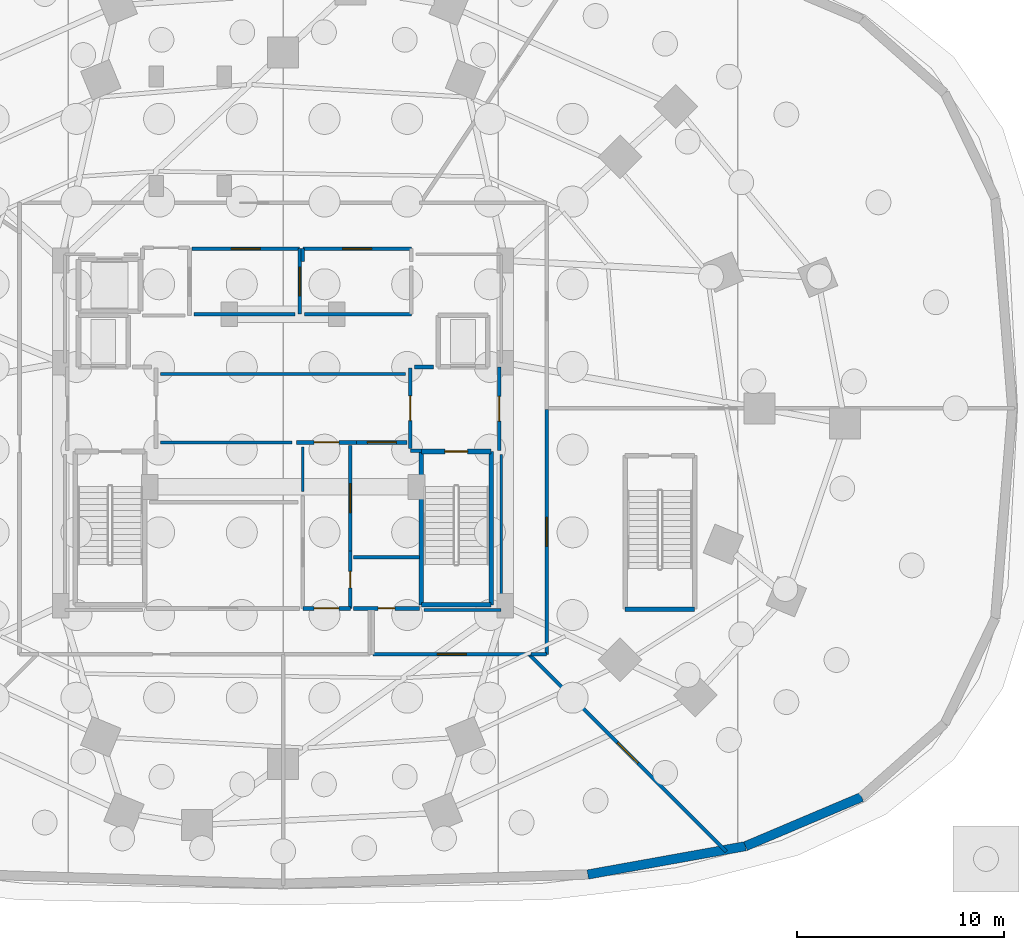
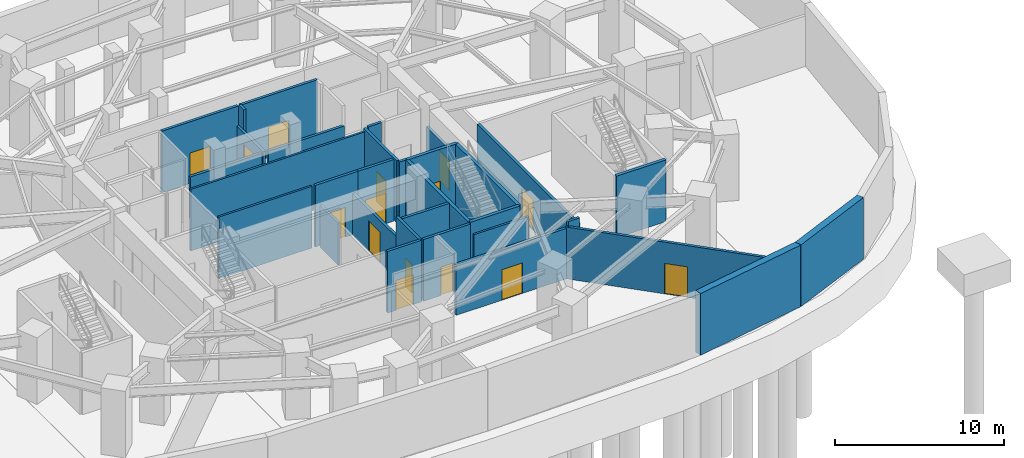
# One storey, part 5 of 9: 33 walls, 15 doors, 15 openings.
"""IFC4 building model written with IfcOpenShell, lengths in metres."""

from ifc_helpers import new_model, si_unit, direction, frame, frame_2d, origin, place, context, subcontext, project, spatial, rectangle, extrude, material, layer, layer_set, type_object, element, fill, save


model = new_model("IFC4")

# Units and contexts
model_context = context("Model", 3, precision=1e-05, world=origin(), true_north=direction((0.0, 1.0)))
body_context = subcontext(model_context, "Body", "Model", "MODEL_VIEW")
ifc_project = project(units=[si_unit("LENGTHUNIT", "METRE"), si_unit("AREAUNIT", "SQUARE_METRE"), si_unit("VOLUMEUNIT", "CUBIC_METRE"), si_unit("PLANEANGLEUNIT", "RADIAN"), si_unit("MASSUNIT", "GRAM", prefix="KILO")], contexts=[model_context])

# Site, building, storey
site_placement = place(None, origin())
site = spatial("IfcSite", under=ifc_project, at=site_placement, CompositionType="ELEMENT")
building_placement = place(site_placement, origin())
building = spatial("IfcBuilding", under=site, at=building_placement, Name="Vorneva Point Tower", CompositionType="ELEMENT")
storey_placement = place(building_placement, frame((0.0, 0.0, -9.60009765625)))
storey = spatial("IfcBuildingStorey", under=building, at=storey_placement, Name="B02", CompositionType="ELEMENT", Elevation=-9.60009765625)

# Walls
ifc_material_1 = material(Name="Fire-rated acoustic gypsum stud partition", Category="gypsum")
ifc_layer_1 = layer(ifc_material_1, 0.139892578125)
ifc_layer_set_1 = layer_set([ifc_layer_1], Name="Fire-rated acoustic gypsum stud partition")
wall_type_1 = type_object("IfcWallType", Name="WL-PART-140", PredefinedType="PARTITIONING", material=ifc_layer_set_1)
wall_1_placement = place(storey_placement, frame((43.929931640625, 27.64990234375, 0.0), z_axis=(0.0, 0.0, 1.0), x_axis=(-1.0, 0.0, 0.0)))
element("IfcWall", 1, at=wall_1_placement, inside=storey, type_object=wall_type_1, Name="B02 Interior Closure Partition 045", PredefinedType="PARTITIONING", context=body_context, shape_type="SweptSolid", body=[
    extrude(rectangle(XDim=11.85986328125, YDim=0.139892578125, at=frame_2d((5.929931640625, 0.0))), origin(), (0.0, 0.0, 1.0), 4.4501953125),
])
wall_2_placement = place(storey_placement, frame((32.070068359375, 24.35009765625, 0.0), z_axis=(0.0, 0.0, 1.0), x_axis=(1.0, 0.0, 0.0)))
element("IfcWall", 2, at=wall_2_placement, inside=storey, type_object=wall_type_1, Name="B02 Interior Closure Partition 046", PredefinedType="PARTITIONING", context=body_context, shape_type="SweptSolid", body=[
    extrude(rectangle(XDim=6.35498046875, YDim=0.139892578125, at=frame_2d((3.177490234375, 0.0))), origin(), (0.0, 0.0, 1.0), 4.4501953125),
])
wall_3_placement = place(storey_placement, frame((38.949951171875, 24.1298828125, 0.0), z_axis=(0.0, 0.0, 1.0), x_axis=(0.0, -1.0, 0.0)))
element("IfcWall", 3, at=wall_3_placement, inside=storey, type_object=wall_type_1, Name="B02 Interior Closure Partition 047", PredefinedType="PARTITIONING", context=body_context, shape_type="SweptSolid", body=[
    extrude(rectangle(XDim=2.15478515625, YDim=0.139892578125, at=frame_2d((1.077392578125, 0.0))), origin(), (0.0, 0.0, 1.0), 3.030029296875),
])
wall_4_placement = place(storey_placement, frame((48.550048828125, 23.75390625, 0.0), z_axis=(0.0, 0.0, 1.0), x_axis=(0.0, -1.0, 0.0)))
element("IfcWall", 4, at=wall_4_placement, inside=storey, type_object=wall_type_1, Name="B02 Interior Closure Partition 054", PredefinedType="PARTITIONING", context=body_context, shape_type="SweptSolid", body=[
    extrude(rectangle(XDim=7.513916015625, YDim=0.139892578125, at=frame_2d((3.7568359375, 0.0))), origin(), (0.0, 0.0, 1.0), 3.030029296875),
])
wall_5_placement = place(storey_placement, frame((48.550048828125, 16.239990234375, 0.0), z_axis=(0.0, 0.0, 1.0), x_axis=(-1.0, 0.0, 0.0)))
element("IfcWall", 5, at=wall_5_placement, inside=storey, type_object=wall_type_1, Name="B02 Interior Closure Partition 055", PredefinedType="PARTITIONING", context=body_context, shape_type="SweptSolid", body=[
    extrude(rectangle(XDim=3.7451171875, YDim=0.139892578125, at=frame_2d((1.87255859375, 0.0))), origin(), (0.0, 0.0, 1.0), 3.64208984375),
])

# Wall, opening, door
ifc_material_2 = material(Name="Autoclaved aerated concrete blockwork", Category="masonry")
ifc_layer_2 = layer(ifc_material_2, 0.179931640625)
ifc_layer_set_2 = layer_set([ifc_layer_2], Name="Autoclaved aerated concrete blockwork")
wall_type_2 = type_object("IfcWallType", Name="WL-PART-180", PredefinedType="PARTITIONING", material=ifc_layer_set_2)
wall_6_placement = place(storey_placement, frame((44.14990234375, 27.955078125, 0.0), z_axis=(0.0, 0.0, 1.0), x_axis=(0.0, -1.0, 0.0)))
wall_6 = element("IfcWall", 6, at=wall_6_placement, inside=storey, type_object=wall_type_2, Name="B02 Interior Partition 003", PredefinedType="PARTITIONING", context=body_context, shape_type="SweptSolid", body=[
    extrude(rectangle(XDim=3.91015625, YDim=0.179931640625, at=frame_2d((1.955078125, 0.0))), origin(), (0.0, 0.0, 1.0), 4.4501953125),
])
opening_1_placement = place(wall_6_placement, frame((1.35498046875, 0.0, 0.0)))
opening_1 = element("IfcOpeningElement", 7, at=opening_1_placement, cuts=wall_6, Name="Opening FD-02", PredefinedType="OPENING", context=body_context, shape_type="SweptSolid", body=[
    extrude(rectangle(XDim=1.199951171875, YDim=2.14990234375, at=frame_2d((0.60009765625, 1.074951171875))), frame((0.0, 0.10498046875, 0.0), z_axis=(0.0, -1.0, 0.0), x_axis=(1.0, 0.0, 0.0)), (0.0, 0.0, 1.0), 0.209716796875),
])
ifc_material_3 = material(Name="Fire-rated powder-coated steel", Category="steel")
door_type_1 = type_object("IfcDoorType", Name="DR-FFL-1200", OperationType="NOTDEFINED", PredefinedType="DOOR", material=ifc_material_3)
door_1_placement = place(opening_1_placement, origin())
door_1 = element("IfcDoor", 8, at=door_1_placement, inside=storey, type_object=door_type_1, Name="B02 Door East Firefighting Lobby / Central Lift Lobby", OperationType="SINGLE_SWING_RIGHT", OverallHeight=2.14990234375, OverallWidth=1.199951171875, PredefinedType="DOOR", context=body_context, shape_type="SweptSolid", body=[
    extrude(rectangle(XDim=1.199951171875, YDim=2.14990234375, at=frame_2d((0.60009765625, 1.074951171875))), frame((0.0, 0.02490234375, 0.0), z_axis=(0.0, -1.0, 0.0), x_axis=(1.0, 0.0, 0.0)), (0.0, 0.0, 1.0), 0.050048828125),
])
fill(opening_1, door_1)

# Wall
wall_7_placement = place(storey_placement, frame((44.14990234375, 23.949951171875, 0.0), z_axis=(0.0, 0.0, 1.0), x_axis=(1.0, 0.0, 0.0)))
element("IfcWall", 9, at=wall_7_placement, inside=storey, type_object=wall_type_2, Name="B02 Interior Partition 004", PredefinedType="PARTITIONING", context=body_context, shape_type="SweptSolid", body=[
    extrude(rectangle(XDim=0.5400390625, YDim=0.179931640625, at=frame_2d((0.27001953125, 0.0))), origin(), (0.0, 0.0, 1.0), 4.4501953125),
])

# Wall, opening, door
wall_8_placement = place(storey_placement, frame((48.449951171875, 23.949951171875, 0.0), z_axis=(0.0, 0.0, 1.0), x_axis=(0.0, 1.0, 0.0)))
wall_8 = element("IfcWall", 10, at=wall_8_placement, inside=storey, type_object=wall_type_2, Name="B02 Interior Partition 005", PredefinedType="PARTITIONING", context=body_context, shape_type="SweptSolid", body=[
    extrude(rectangle(XDim=4.050048828125, YDim=0.179931640625, at=frame_2d((2.02490234375, 0.0))), origin(), (0.0, 0.0, 1.0), 3.030029296875),
])
opening_2_placement = place(wall_8_placement, frame((1.425048828125, 0.0, 0.0)))
opening_2 = element("IfcOpeningElement", 11, at=opening_2_placement, cuts=wall_8, Name="Opening FD-02", PredefinedType="OPENING", context=body_context, shape_type="SweptSolid", body=[
    extrude(rectangle(XDim=1.199951171875, YDim=2.14990234375, at=frame_2d((0.60009765625, 1.074951171875))), frame((0.0, 0.10498046875, 0.0), z_axis=(0.0, -1.0, 0.0), x_axis=(1.0, 0.0, 0.0)), (0.0, 0.0, 1.0), 0.209716796875),
])
door_2_placement = place(opening_2_placement, origin())
door_2 = element("IfcDoor", 12, at=door_2_placement, inside=storey, type_object=door_type_1, Name="B02 Door East Firefighting Lobby / B02 Circulation Corridor", OperationType="SINGLE_SWING_LEFT", OverallHeight=2.14990234375, OverallWidth=1.199951171875, PredefinedType="DOOR", context=body_context, shape_type="SweptSolid", body=[
    extrude(rectangle(XDim=1.199951171875, YDim=2.14990234375, at=frame_2d((0.60009765625, 1.074951171875))), frame((0.0, 0.02490234375, 0.0), z_axis=(0.0, -1.0, 0.0), x_axis=(1.0, 0.0, 0.0)), (0.0, 0.0, 1.0), 0.050048828125),
])
fill(opening_2, door_2)

wall_9_placement = place(storey_placement, frame((38.64501953125, 24.35009765625, 0.0), z_axis=(0.0, 0.0, 1.0), x_axis=(1.0, 0.0, 0.0)))
wall_9 = element("IfcWall", 13, at=wall_9_placement, inside=storey, type_object=wall_type_2, Name="B02 Interior Partition 009", PredefinedType="PARTITIONING", context=body_context, shape_type="SweptSolid", body=[
    extrude(rectangle(XDim=2.909912109375, YDim=0.179931640625, at=frame_2d((1.455078125, 0.0))), origin(), (0.0, 0.0, 1.0), 4.4501953125),
])
opening_3_placement = place(wall_9_placement, frame((0.85498046875, 0.0, 0.0)))
opening_3 = element("IfcOpeningElement", 14, at=opening_3_placement, cuts=wall_9, Name="Opening FD-02", PredefinedType="OPENING", context=body_context, shape_type="SweptSolid", body=[
    extrude(rectangle(XDim=1.199951171875, YDim=2.14990234375, at=frame_2d((0.60009765625, 1.074951171875))), frame((0.0, 0.10498046875, 0.0), z_axis=(0.0, -1.0, 0.0), x_axis=(1.0, 0.0, 0.0)), (0.0, 0.0, 1.0), 0.209716796875),
])
door_3_placement = place(opening_3_placement, origin())
door_3 = element("IfcDoor", 15, at=door_3_placement, inside=storey, type_object=door_type_1, Name="B02 Door Central Lift Lobby / Core Service Lobby", OperationType="SINGLE_SWING_LEFT", OverallHeight=2.14990234375, OverallWidth=1.199951171875, PredefinedType="DOOR", context=body_context, shape_type="SweptSolid", body=[
    extrude(rectangle(XDim=1.199951171875, YDim=2.14990234375, at=frame_2d((0.60009765625, 1.074951171875))), frame((0.0, 0.02490234375, 0.0), z_axis=(0.0, -1.0, 0.0), x_axis=(1.0, 0.0, 0.0)), (0.0, 0.0, 1.0), 0.050048828125),
])
fill(opening_3, door_3)

wall_10_placement = place(storey_placement, frame((41.554931640625, 24.35009765625, 0.0), z_axis=(0.0, 0.0, 1.0), x_axis=(1.0, 0.0, 0.0)))
wall_10 = element("IfcWall", 16, at=wall_10_placement, inside=storey, type_object=wall_type_2, Name="B02 Interior Partition 010", PredefinedType="PARTITIONING", context=body_context, shape_type="SweptSolid", body=[
    extrude(rectangle(XDim=2.445068359375, YDim=0.179931640625, at=frame_2d((1.22265625, 0.0))), origin(), (0.0, 0.0, 1.0), 4.4501953125),
])
opening_4_placement = place(wall_10_placement, frame((0.5224609375, 0.0, 0.0)))
opening_4 = element("IfcOpeningElement", 17, at=opening_4_placement, cuts=wall_10, Name="Opening FD-03", PredefinedType="OPENING", context=body_context, shape_type="SweptSolid", body=[
    extrude(rectangle(XDim=1.39990234375, YDim=2.199951171875, at=frame_2d((0.699951171875, 1.10009765625))), frame((0.0, 0.10498046875, 0.0), z_axis=(0.0, -1.0, 0.0), x_axis=(1.0, 0.0, 0.0)), (0.0, 0.0, 1.0), 0.209716796875),
])
door_type_2 = type_object("IfcDoorType", Name="DR-PLT-1400", OperationType="DOUBLE_SWING_LEFT", PredefinedType="DOOR", material=ifc_material_3)
door_4_placement = place(opening_4_placement, origin())
door_4 = element("IfcDoor", 18, at=door_4_placement, inside=storey, type_object=door_type_2, Name="B02 Door Central Lift Lobby / Core BMS Control Plant B02", OperationType="DOUBLE_SWING_LEFT", OverallHeight=2.199951171875, OverallWidth=1.39990234375, PredefinedType="DOOR", context=body_context, shape_type="SweptSolid", body=[
    extrude(rectangle(XDim=1.39990234375, YDim=2.199951171875, at=frame_2d((0.699951171875, 1.10009765625))), frame((0.0, 0.02490234375, 0.0), z_axis=(0.0, -1.0, 0.0), x_axis=(1.0, 0.0, 0.0)), (0.0, 0.0, 1.0), 0.050048828125),
])
fill(opening_4, door_4)

wall_11_placement = place(storey_placement, frame((41.25, 16.320068359375, 0.0), z_axis=(0.0, 0.0, 1.0), x_axis=(0.0, 1.0, 0.0)))
wall_11 = element("IfcWall", 19, at=wall_11_placement, inside=storey, type_object=wall_type_2, Name="B02 Interior Partition 012", PredefinedType="PARTITIONING", context=body_context, shape_type="SweptSolid", body=[
    extrude(rectangle(XDim=2.784912109375, YDim=0.179931640625, at=frame_2d((1.392578125, 0.0))), origin(), (0.0, 0.0, 1.0), 4.4501953125),
])
opening_5_placement = place(wall_11_placement, frame((0.992431640625, 0.0, 0.0)))
opening_5 = element("IfcOpeningElement", 20, at=opening_5_placement, cuts=wall_11, Name="Opening RD-01", PredefinedType="OPENING", context=body_context, shape_type="SweptSolid", body=[
    extrude(rectangle(XDim=0.800048828125, YDim=2.050048828125, at=frame_2d((0.39990234375, 1.02490234375))), frame((0.0, 0.10498046875, 0.0), z_axis=(0.0, -1.0, 0.0), x_axis=(1.0, 0.0, 0.0)), (0.0, 0.0, 1.0), 0.209716796875),
])
door_type_3 = type_object("IfcDoorType", Name="DR-RSR-800", OperationType="SINGLE_SWING_LEFT", PredefinedType="DOOR", material=ifc_material_3)
door_5_placement = place(opening_5_placement, origin())
door_5 = element("IfcDoor", 21, at=door_5_placement, inside=storey, type_object=door_type_3, Name="B02 Door Core Service Lobby / Electrical Riser", OperationType="SINGLE_SWING_RIGHT", OverallHeight=2.050048828125, OverallWidth=0.800048828125, PredefinedType="DOOR", context=body_context, shape_type="SweptSolid", body=[
    extrude(rectangle(XDim=0.800048828125, YDim=2.050048828125, at=frame_2d((0.39990234375, 1.02490234375))), frame((0.0, 0.02490234375, 0.0), z_axis=(0.0, -1.0, 0.0), x_axis=(1.0, 0.0, 0.0)), (0.0, 0.0, 1.0), 0.050048828125),
])
fill(opening_5, door_5)

wall_12_placement = place(storey_placement, frame((41.25, 19.10498046875, 0.0), z_axis=(0.0, 0.0, 1.0), x_axis=(0.0, 1.0, 0.0)))
wall_12 = element("IfcWall", 22, at=wall_12_placement, inside=storey, type_object=wall_type_2, Name="B02 Interior Partition 013", PredefinedType="PARTITIONING", context=body_context, shape_type="SweptSolid", body=[
    extrude(rectangle(XDim=5.094970703125, YDim=0.179931640625, at=frame_2d((2.54736328125, 0.0))), origin(), (0.0, 0.0, 1.0), 3.030029296875),
])
opening_6_placement = place(wall_12_placement, frame((1.847412109375, 0.0, 0.0)))
opening_6 = element("IfcOpeningElement", 23, at=opening_6_placement, cuts=wall_12, Name="Opening FD-03", PredefinedType="OPENING", context=body_context, shape_type="SweptSolid", body=[
    extrude(rectangle(XDim=1.39990234375, YDim=2.199951171875, at=frame_2d((0.699951171875, 1.10009765625))), frame((0.0, 0.10498046875, 0.0), z_axis=(0.0, -1.0, 0.0), x_axis=(1.0, 0.0, 0.0)), (0.0, 0.0, 1.0), 0.209716796875),
])
door_6_placement = place(opening_6_placement, origin())
door_6 = element("IfcDoor", 24, at=door_6_placement, inside=storey, type_object=door_type_2, Name="B02 Door Core Service Lobby / Core BMS Control Plant B02", OperationType="DOUBLE_SWING_LEFT", OverallHeight=2.199951171875, OverallWidth=1.39990234375, PredefinedType="DOOR", context=body_context, shape_type="SweptSolid", body=[
    extrude(rectangle(XDim=1.39990234375, YDim=2.199951171875, at=frame_2d((0.699951171875, 1.10009765625))), frame((0.0, 0.02490234375, 0.0), z_axis=(0.0, -1.0, 0.0), x_axis=(1.0, 0.0, 0.0)), (0.0, 0.0, 1.0), 0.050048828125),
])
fill(opening_6, door_6)

wall_13_placement = place(storey_placement, frame((38.949951171875, 16.320068359375, 0.0), z_axis=(0.0, 0.0, 1.0), x_axis=(1.0, 0.0, 0.0)))
wall_13 = element("IfcWall", 25, at=wall_13_placement, inside=storey, type_object=wall_type_2, Name="B02 Interior Partition 014", PredefinedType="PARTITIONING", context=body_context, shape_type="SweptSolid", body=[
    extrude(rectangle(XDim=2.300048828125, YDim=0.179931640625, at=frame_2d((1.14990234375, 0.0))), origin(), (0.0, 0.0, 1.0), 4.4501953125),
])
opening_7_placement = place(wall_13_placement, frame((0.550048828125, 0.0, 0.0)))
opening_7 = element("IfcOpeningElement", 26, at=opening_7_placement, cuts=wall_13, Name="Opening FD-02", PredefinedType="OPENING", context=body_context, shape_type="SweptSolid", body=[
    extrude(rectangle(XDim=1.199951171875, YDim=2.14990234375, at=frame_2d((0.60009765625, 1.074951171875))), frame((0.0, 0.10498046875, 0.0), z_axis=(0.0, -1.0, 0.0), x_axis=(1.0, 0.0, 0.0)), (0.0, 0.0, 1.0), 0.209716796875),
])
door_7_placement = place(opening_7_placement, origin())
door_7 = element("IfcDoor", 27, at=door_7_placement, inside=storey, type_object=door_type_1, Name="B02 Door Core Service Lobby / B02 Circulation Corridor", OperationType="SINGLE_SWING_RIGHT", OverallHeight=2.14990234375, OverallWidth=1.199951171875, PredefinedType="DOOR", context=body_context, shape_type="SweptSolid", body=[
    extrude(rectangle(XDim=1.199951171875, YDim=2.14990234375, at=frame_2d((0.60009765625, 1.074951171875))), frame((0.0, 0.02490234375, 0.0), z_axis=(0.0, -1.0, 0.0), x_axis=(1.0, 0.0, 0.0)), (0.0, 0.0, 1.0), 0.050048828125),
])
fill(opening_7, door_7)

wall_14_placement = place(storey_placement, frame((38.800048828125, 30.550048828125, 0.0), z_axis=(0.0, 0.0, 1.0), x_axis=(0.0, 1.0, 0.0)))
wall_14 = element("IfcWall", 28, at=wall_14_placement, inside=storey, type_object=wall_type_2, Name="B02 Interior Partition 015", PredefinedType="PARTITIONING", context=body_context, shape_type="SweptSolid", body=[
    extrude(rectangle(XDim=3.169921875, YDim=0.179931640625, at=frame_2d((1.5849609375, 0.0))), origin(), (0.0, 0.0, 1.0), 3.030029296875),
])
opening_8_placement = place(wall_14_placement, frame((0.885009765625, 0.0, 0.0)))
opening_8 = element("IfcOpeningElement", 29, at=opening_8_placement, cuts=wall_14, Name="Opening FD-03", PredefinedType="OPENING", context=body_context, shape_type="SweptSolid", body=[
    extrude(rectangle(XDim=1.39990234375, YDim=2.199951171875, at=frame_2d((0.699951171875, 1.10009765625))), frame((0.0, 0.10498046875, 0.0), z_axis=(0.0, -1.0, 0.0), x_axis=(1.0, 0.0, 0.0)), (0.0, 0.0, 1.0), 0.209716796875),
])
door_8_placement = place(opening_8_placement, origin())
door_8 = element("IfcDoor", 30, at=door_8_placement, inside=storey, type_object=door_type_2, Name="B02 Door Core Smoke Extract Plant B02 / Core Electrical Switchgear Room B02", OperationType="DOUBLE_SWING_LEFT", OverallHeight=2.199951171875, OverallWidth=1.39990234375, PredefinedType="DOOR", context=body_context, shape_type="SweptSolid", body=[
    extrude(rectangle(XDim=1.39990234375, YDim=2.199951171875, at=frame_2d((0.699951171875, 1.10009765625))), frame((0.0, 0.02490234375, 0.0), z_axis=(0.0, -1.0, 0.0), x_axis=(1.0, 0.0, 0.0)), (0.0, 0.0, 1.0), 0.050048828125),
])
fill(opening_8, door_8)

wall_15_placement = place(storey_placement, frame((38.800048828125, 33.719970703125, 0.0), z_axis=(0.0, 0.0, 1.0), x_axis=(-1.0, 0.0, 0.0)))
wall_15 = element("IfcWall", 31, at=wall_15_placement, inside=storey, type_object=wall_type_2, Name="B02 Interior Partition 016", PredefinedType="PARTITIONING", context=body_context, shape_type="SweptSolid", body=[
    extrude(rectangle(XDim=5.199951171875, YDim=0.179931640625, at=frame_2d((2.60009765625, 0.0))), origin(), (0.0, 0.0, 1.0), 4.4501953125),
])
opening_9_placement = place(wall_15_placement, frame((1.89990234375, 0.0, 0.0)))
opening_9 = element("IfcOpeningElement", 32, at=opening_9_placement, cuts=wall_15, Name="Opening FD-03", PredefinedType="OPENING", context=body_context, shape_type="SweptSolid", body=[
    extrude(rectangle(XDim=1.39990234375, YDim=2.199951171875, at=frame_2d((0.699951171875, 1.10009765625))), frame((0.0, 0.10498046875, 0.0), z_axis=(0.0, -1.0, 0.0), x_axis=(1.0, 0.0, 0.0)), (0.0, 0.0, 1.0), 0.209716796875),
])
door_9_placement = place(opening_9_placement, origin())
door_9 = element("IfcDoor", 33, at=door_9_placement, inside=storey, type_object=door_type_2, Name="B02 Door Core Smoke Extract Plant B02 / B02 Circulation Corridor", OperationType="DOUBLE_SWING_LEFT", OverallHeight=2.199951171875, OverallWidth=1.39990234375, PredefinedType="DOOR", context=body_context, shape_type="SweptSolid", body=[
    extrude(rectangle(XDim=1.39990234375, YDim=2.199951171875, at=frame_2d((0.699951171875, 1.10009765625))), frame((0.0, 0.02490234375, 0.0), z_axis=(0.0, -1.0, 0.0), x_axis=(1.0, 0.0, 0.0)), (0.0, 0.0, 1.0), 0.050048828125),
])
fill(opening_9, door_9)

wall_16_placement = place(storey_placement, frame((44.199951171875, 33.719970703125, 0.0), z_axis=(0.0, 0.0, 1.0), x_axis=(-1.0, 0.0, 0.0)))
wall_16 = element("IfcWall", 34, at=wall_16_placement, inside=storey, type_object=wall_type_2, Name="B02 Interior Partition 017", PredefinedType="PARTITIONING", context=body_context, shape_type="SweptSolid", body=[
    extrude(rectangle(XDim=5.25, YDim=0.179931640625, at=frame_2d((2.625, 0.0))), origin(), (0.0, 0.0, 1.0), 4.4501953125),
])
opening_10_placement = place(wall_16_placement, frame((1.925048828125, 0.0, 0.0)))
opening_10 = element("IfcOpeningElement", 35, at=opening_10_placement, cuts=wall_16, Name="Opening FD-03", PredefinedType="OPENING", context=body_context, shape_type="SweptSolid", body=[
    extrude(rectangle(XDim=1.39990234375, YDim=2.199951171875, at=frame_2d((0.699951171875, 1.10009765625))), frame((0.0, 0.10498046875, 0.0), z_axis=(0.0, -1.0, 0.0), x_axis=(1.0, 0.0, 0.0)), (0.0, 0.0, 1.0), 0.209716796875),
])
door_10_placement = place(opening_10_placement, origin())
door_10 = element("IfcDoor", 36, at=door_10_placement, inside=storey, type_object=door_type_2, Name="B02 Door Core Electrical Switchgear Room B02 / B02 Circulation Corridor", OperationType="DOUBLE_SWING_LEFT", OverallHeight=2.199951171875, OverallWidth=1.39990234375, PredefinedType="DOOR", context=body_context, shape_type="SweptSolid", body=[
    extrude(rectangle(XDim=1.39990234375, YDim=2.199951171875, at=frame_2d((0.699951171875, 1.10009765625))), frame((0.0, 0.02490234375, 0.0), z_axis=(0.0, -1.0, 0.0), x_axis=(1.0, 0.0, 0.0)), (0.0, 0.0, 1.0), 0.050048828125),
])
fill(opening_10, door_10)

# Walls
wall_17_placement = place(storey_placement, frame((38.949951171875, 33.719970703125, 0.0), z_axis=(0.0, 0.0, 1.0), x_axis=(0.0, -1.0, 0.0)))
element("IfcWall", 37, at=wall_17_placement, inside=storey, type_object=wall_type_2, Name="B02 Interior Partition 018", PredefinedType="PARTITIONING", context=body_context, shape_type="SweptSolid", body=[
    extrude(rectangle(XDim=0.60986328125, YDim=0.179931640625, at=frame_2d((0.304931640625, 0.0))), origin(), (0.0, 0.0, 1.0), 4.4501953125),
])
wall_18_placement = place(storey_placement, frame((44.60009765625, 18.800048828125, 0.0), z_axis=(0.0, 0.0, 1.0), x_axis=(-1.0, 0.0, 0.0)))
element("IfcWall", 38, at=wall_18_placement, inside=storey, type_object=wall_type_2, Name="B02 Interior Partition 021", PredefinedType="PARTITIONING", context=body_context, shape_type="SweptSolid", body=[
    extrude(rectangle(XDim=3.2001953125, YDim=0.179931640625, at=frame_2d((1.60009765625, 0.0))), origin(), (0.0, 0.0, 1.0), 4.4501953125),
])

# Wall, opening, door
wall_19_placement = place(storey_placement, frame((41.39990234375, 16.320068359375, 0.0), z_axis=(0.0, 0.0, 1.0), x_axis=(1.0, 0.0, 0.0)))
wall_19 = element("IfcWall", 39, at=wall_19_placement, inside=storey, type_object=wall_type_2, Name="B02 Interior Partition 022", PredefinedType="PARTITIONING", context=body_context, shape_type="SweptSolid", body=[
    extrude(rectangle(XDim=3.2001953125, YDim=0.179931640625, at=frame_2d((1.60009765625, 0.0))), origin(), (0.0, 0.0, 1.0), 4.4501953125),
])
opening_11_placement = place(wall_19_placement, frame((1.199951171875, 0.0, 0.0)))
opening_11 = element("IfcOpeningElement", 40, at=opening_11_placement, cuts=wall_19, Name="Opening RD-01", PredefinedType="OPENING", context=body_context, shape_type="SweptSolid", body=[
    extrude(rectangle(XDim=0.800048828125, YDim=2.050048828125, at=frame_2d((0.39990234375, 1.02490234375))), frame((0.0, 0.10498046875, 0.0), z_axis=(0.0, -1.0, 0.0), x_axis=(1.0, 0.0, 0.0)), (0.0, 0.0, 1.0), 0.209716796875),
])
door_11_placement = place(opening_11_placement, origin())
door_11 = element("IfcDoor", 41, at=door_11_placement, inside=storey, type_object=door_type_3, Name="B02 Door Electrical Riser / B02 Circulation Corridor", OperationType="SINGLE_SWING_LEFT", OverallHeight=2.050048828125, OverallWidth=0.800048828125, PredefinedType="DOOR", context=body_context, shape_type="SweptSolid", body=[
    extrude(rectangle(XDim=0.800048828125, YDim=2.050048828125, at=frame_2d((0.39990234375, 1.02490234375))), frame((0.0, 0.02490234375, 0.0), z_axis=(0.0, -1.0, 0.0), x_axis=(1.0, 0.0, 0.0)), (0.0, 0.0, 1.0), 0.050048828125),
])
fill(opening_11, door_11)

wall_20_placement = place(storey_placement, frame((42.340087890625, 14.10009765625, 0.0), z_axis=(0.0, 0.0, 1.0), x_axis=(1.0, 0.0, 0.0)))
wall_20 = element("IfcWall", 42, at=wall_20_placement, inside=storey, type_object=wall_type_2, Name="B02 Interior Partition 031", PredefinedType="PARTITIONING", context=body_context, shape_type="SweptSolid", body=[
    extrude(rectangle(XDim=7.64501953125, YDim=0.179931640625, at=frame_2d((3.822509765625, 0.0))), origin(), (0.0, 0.0, 1.0), 3.64208984375),
])
opening_12_placement = place(wall_20_placement, frame((3.12255859375, 0.0, 0.0)))
opening_12 = element("IfcOpeningElement", 43, at=opening_12_placement, cuts=wall_20, Name="Opening FD-03", PredefinedType="OPENING", context=body_context, shape_type="SweptSolid", body=[
    extrude(rectangle(XDim=1.39990234375, YDim=2.199951171875, at=frame_2d((0.699951171875, 1.10009765625))), frame((0.0, 0.10498046875, 0.0), z_axis=(0.0, -1.0, 0.0), x_axis=(1.0, 0.0, 0.0)), (0.0, 0.0, 1.0), 0.209716796875),
])
door_12_placement = place(opening_12_placement, origin())
door_12 = element("IfcDoor", 44, at=door_12_placement, inside=storey, type_object=door_type_2, Name="B02 Door B02 Circulation Corridor / Sprinkler Pump and Water Tank Room", OperationType="DOUBLE_SWING_LEFT", OverallHeight=2.199951171875, OverallWidth=1.39990234375, PredefinedType="DOOR", context=body_context, shape_type="SweptSolid", body=[
    extrude(rectangle(XDim=1.39990234375, YDim=2.199951171875, at=frame_2d((0.699951171875, 1.10009765625))), frame((0.0, 0.02490234375, 0.0), z_axis=(0.0, -1.0, 0.0), x_axis=(1.0, 0.0, 0.0)), (0.0, 0.0, 1.0), 0.050048828125),
])
fill(opening_12, door_12)

# Wall
wall_21_placement = place(storey_placement, frame((49.985107421875, 14.10009765625, 0.0), z_axis=(0.0, 0.0, 1.0), x_axis=(1.0, 0.0, 0.0)))
element("IfcWall", 45, at=wall_21_placement, inside=storey, type_object=wall_type_2, Name="B02 Interior Partition 034", PredefinedType="PARTITIONING", context=body_context, shape_type="SweptSolid", body=[
    extrude(rectangle(XDim=0.764892578125, YDim=0.179931640625, at=frame_2d((0.38232421875, 0.0))), origin(), (0.0, 0.0, 1.0), 4.083984375),
])

# Wall, opening, door
wall_22_placement = place(storey_placement, frame((50.75, 14.10009765625, 0.0), z_axis=(0.0, 0.0, 1.0), x_axis=(0.0, 1.0, 0.0)))
wall_22 = element("IfcWall", 46, at=wall_22_placement, inside=storey, type_object=wall_type_2, Name="B02 Interior Partition 035", PredefinedType="PARTITIONING", context=body_context, shape_type="SweptSolid", body=[
    extrude(rectangle(XDim=11.83984375, YDim=0.179931640625, at=frame_2d((5.919921875, 0.0))), origin(), (0.0, 0.0, 1.0), 3.64208984375),
])
opening_13_placement = place(wall_22_placement, frame((5.219970703125, 0.0, 0.0)))
opening_13 = element("IfcOpeningElement", 47, at=opening_13_placement, cuts=wall_22, Name="Opening FD-03", PredefinedType="OPENING", context=body_context, shape_type="SweptSolid", body=[
    extrude(rectangle(XDim=1.39990234375, YDim=2.199951171875, at=frame_2d((0.699951171875, 1.10009765625))), frame((0.0, 0.10498046875, 0.0), z_axis=(0.0, -1.0, 0.0), x_axis=(1.0, 0.0, 0.0)), (0.0, 0.0, 1.0), 0.209716796875),
])
door_13_placement = place(opening_13_placement, origin())
door_13 = element("IfcDoor", 48, at=door_13_placement, inside=storey, type_object=door_type_2, Name="B02 Door B02 Circulation Corridor / Substation and Switchgear Plant Room", OperationType="DOUBLE_SWING_LEFT", OverallHeight=2.199951171875, OverallWidth=1.39990234375, PredefinedType="DOOR", context=body_context, shape_type="SweptSolid", body=[
    extrude(rectangle(XDim=1.39990234375, YDim=2.199951171875, at=frame_2d((0.699951171875, 1.10009765625))), frame((0.0, 0.02490234375, 0.0), z_axis=(0.0, -1.0, 0.0), x_axis=(1.0, 0.0, 0.0)), (0.0, 0.0, 1.0), 0.050048828125),
])
fill(opening_13, door_13)

wall_23_placement = place(storey_placement, frame((59.43896484375, 4.56103515625, 0.0), z_axis=(0.0, 0.0, 1.0), x_axis=(-0.707106781187, 0.707106781187, 0.0)))
wall_23 = element("IfcWall", 49, at=wall_23_placement, inside=storey, type_object=wall_type_2, Name="B02 Interior Partition 041", PredefinedType="PARTITIONING", context=body_context, shape_type="SweptSolid", body=[
    extrude(rectangle(XDim=13.490234375, YDim=0.179931640625, at=frame_2d((6.7451171875, 0.0))), origin(), (0.0, 0.0, 1.0), 3.739013671875),
])
opening_14_placement = place(wall_23_placement, frame((6.045166015625, 0.0, 0.0)))
opening_14 = element("IfcOpeningElement", 50, at=opening_14_placement, cuts=wall_23, Name="Opening FD-03", PredefinedType="OPENING", context=body_context, shape_type="SweptSolid", body=[
    extrude(rectangle(XDim=1.39990234375, YDim=2.199951171875, at=frame_2d((0.699951171875, 1.10009765625))), frame((0.0, 0.10498046875, 0.0), z_axis=(0.0, -1.0, 0.0), x_axis=(1.0, 0.0, 0.0)), (0.0, 0.0, 1.0), 0.209716796875),
])
door_14_placement = place(opening_14_placement, origin())
door_14 = element("IfcDoor", 51, at=door_14_placement, inside=storey, type_object=door_type_2, Name="B02 Door Sprinkler Pump and Water Tank Room / Substation and Switchgear Plant Room", OperationType="DOUBLE_SWING_LEFT", OverallHeight=2.199951171875, OverallWidth=1.39990234375, PredefinedType="DOOR", context=body_context, shape_type="SweptSolid", body=[
    extrude(rectangle(XDim=1.39990234375, YDim=2.199951171875, at=frame_2d((0.699951171875, 1.10009765625))), frame((0.0, 0.02490234375, 0.0), z_axis=(0.0, -1.0, 0.0), x_axis=(1.0, 0.0, 0.0)), (0.0, 0.0, 1.0), 0.050048828125),
])
fill(opening_14, door_14)

# Walls
wall_24_placement = place(storey_placement, frame((45.280029296875, 28.0, 0.0), z_axis=(0.0, 0.0, 1.0), x_axis=(-1.0, 0.0, 0.0)))
element("IfcWall", 52, at=wall_24_placement, inside=storey, type_object=wall_type_2, Name="B02 Interior Closure Partition 043", PredefinedType="PARTITIONING", context=body_context, shape_type="SweptSolid", body=[
    extrude(rectangle(XDim=0.9150390625, YDim=0.179931640625, at=frame_2d((0.45751953125, 0.0))), origin(), (0.0, 0.0, 1.0), 4.4501953125),
])
wall_25_placement = place(storey_placement, frame((33.694091796875, 30.550048828125, 0.0), z_axis=(0.0, 0.0, 1.0), x_axis=(1.0, 0.0, 0.0)))
element("IfcWall", 53, at=wall_25_placement, inside=storey, type_object=wall_type_2, Name="B02 Interior Closure Partition 048", PredefinedType="PARTITIONING", context=body_context, shape_type="SweptSolid", body=[
    extrude(rectangle(XDim=4.885986328125, YDim=0.179931640625, at=frame_2d((2.44287109375, 0.0))), origin(), (0.0, 0.0, 1.0), 3.030029296875),
])
wall_26_placement = place(storey_placement, frame((39.030029296875, 30.550048828125, 0.0), z_axis=(0.0, 0.0, 1.0), x_axis=(1.0, 0.0, 0.0)))
element("IfcWall", 54, at=wall_26_placement, inside=storey, type_object=wall_type_2, Name="B02 Interior Closure Partition 049", PredefinedType="PARTITIONING", context=body_context, shape_type="SweptSolid", body=[
    extrude(rectangle(XDim=5.169921875, YDim=0.179931640625, at=frame_2d((2.5849609375, 0.0))), origin(), (0.0, 0.0, 1.0), 3.030029296875),
])
ifc_material_4 = material(Name="Concrete B60 (C50/60)", Category="concrete")
ifc_layer_3 = layer(ifc_material_4, 0.449951171875)
ifc_layer_set_3 = layer_set([ifc_layer_3], Name="Concrete B60 (C50/60)")
wall_type_3 = type_object("IfcWallType", Name="WL-RET-450", PredefinedType="SOLIDWALL", material=ifc_layer_set_3)
wall_27_placement = place(storey_placement, frame((52.73681640625, 3.447265625, 0.0), z_axis=(0.0, 0.0, 1.0), x_axis=(0.984238318617, 0.176847200051, 0.0)))
element("IfcWall", 55, at=wall_27_placement, inside=storey, type_object=wall_type_3, Name="B02 Perimeter Retaining Wall 20", PredefinedType="SOLIDWALL", context=body_context, shape_type="SweptSolid", body=[
    extrude(rectangle(XDim=7.748779296875, YDim=0.449951171875, at=frame_2d((3.87451171875, 0.0))), origin(), (0.0, 0.0, 1.0), 4.4501953125),
])
wall_28_placement = place(storey_placement, frame((60.363525390625, 4.817626953125, 0.0), z_axis=(0.0, 0.0, 1.0), x_axis=(0.92081090532, 0.390009328919, 0.0)))
element("IfcWall", 56, at=wall_28_placement, inside=storey, type_object=wall_type_3, Name="B02 Perimeter Retaining Wall 21", PredefinedType="SOLIDWALL", context=body_context, shape_type="SweptSolid", body=[
    extrude(rectangle(XDim=6.10205078125, YDim=0.449951171875, at=frame_2d((3.051025390625, 0.0))), origin(), (0.0, 0.0, 1.0), 4.4501953125),
])

# Wall, opening, door
ifc_material_5 = material(Name="Concrete B50 (C40/50)", Category="concrete")
ifc_layer_4 = layer(ifc_material_5, 0.219970703125)
ifc_layer_set_4 = layer_set([ifc_layer_4], Name="Concrete B50 (C40/50)")
wall_type_4 = type_object("IfcWallType", Name="WL-SHFT-220", PredefinedType="SOLIDWALL", material=ifc_layer_set_4)
wall_29_placement = place(storey_placement, frame((44.68994140625, 23.909912109375, 0.0), z_axis=(0.0, 0.0, 1.0), x_axis=(1.0, 0.0, 0.0)))
wall_29 = element("IfcWall", 57, at=wall_29_placement, inside=storey, type_object=wall_type_4, Name="B02 Exit Stair ST2 Shaft Wall near", PredefinedType="SOLIDWALL", context=body_context, shape_type="SweptSolid", body=[
    extrude(rectangle(XDim=3.3701171875, YDim=0.219970703125, at=frame_2d((1.68505859375, 0.0))), origin(), (0.0, 0.0, 1.0), 4.4501953125),
])
opening_15_placement = place(wall_29_placement, frame((1.135009765625, 0.0, 0.0)))
opening_15 = element("IfcOpeningElement", 58, at=opening_15_placement, cuts=wall_29, Name="Opening FD-01", PredefinedType="OPENING", context=body_context, shape_type="SweptSolid", body=[
    extrude(rectangle(XDim=1.10009765625, YDim=2.14990234375, at=frame_2d((0.550048828125, 1.074951171875))), frame((0.0, 0.125, 0.0), z_axis=(0.0, -1.0, 0.0), x_axis=(1.0, 0.0, 0.0)), (0.0, 0.0, 1.0), 0.249755859375),
])
door_type_4 = type_object("IfcDoorType", Name="DR-STAIR-1100", OperationType="NOTDEFINED", PredefinedType="DOOR", material=ifc_material_3)
door_15_placement = place(opening_15_placement, origin())
door_15 = element("IfcDoor", 59, at=door_15_placement, inside=storey, type_object=door_type_4, Name="B02 Exit Stair ST2 Fire Door", OperationType="SINGLE_SWING_LEFT", OverallHeight=2.14990234375, OverallWidth=1.10009765625, PredefinedType="DOOR", context=body_context, shape_type="SweptSolid", body=[
    extrude(rectangle(XDim=1.10009765625, YDim=2.14990234375, at=frame_2d((0.550048828125, 1.074951171875))), frame((0.0, 0.02490234375, 0.0), z_axis=(0.0, -1.0, 0.0), x_axis=(1.0, 0.0, 0.0)), (0.0, 0.0, 1.0), 0.050048828125),
])
fill(opening_15, door_15)

# Walls
wall_30_placement = place(storey_placement, frame((48.06005859375, 23.909912109375, 0.0), z_axis=(0.0, 0.0, 1.0), x_axis=(0.0, -1.0, 0.0)))
element("IfcWall", 60, at=wall_30_placement, inside=storey, type_object=wall_type_4, Name="B02 Exit Stair ST2 Shaft Wall right", PredefinedType="SOLIDWALL", context=body_context, shape_type="SweptSolid", body=[
    extrude(rectangle(XDim=7.419921875, YDim=0.219970703125, at=frame_2d((3.7099609375, 0.0))), origin(), (0.0, 0.0, 1.0), 4.4501953125),
])
wall_31_placement = place(storey_placement, frame((48.06005859375, 16.489990234375, 0.0), z_axis=(0.0, 0.0, 1.0), x_axis=(-1.0, 0.0, 0.0)))
element("IfcWall", 61, at=wall_31_placement, inside=storey, type_object=wall_type_4, Name="B02 Exit Stair ST2 Shaft Wall far", PredefinedType="SOLIDWALL", context=body_context, shape_type="SweptSolid", body=[
    extrude(rectangle(XDim=3.3701171875, YDim=0.219970703125, at=frame_2d((1.68505859375, 0.0))), origin(), (0.0, 0.0, 1.0), 4.4501953125),
])
wall_32_placement = place(storey_placement, frame((44.68994140625, 16.489990234375, 0.0), z_axis=(0.0, 0.0, 1.0), x_axis=(0.0, 1.0, 0.0)))
element("IfcWall", 62, at=wall_32_placement, inside=storey, type_object=wall_type_4, Name="B02 Exit Stair ST2 Shaft Wall left", PredefinedType="SOLIDWALL", context=body_context, shape_type="SweptSolid", body=[
    extrude(rectangle(XDim=7.419921875, YDim=0.219970703125, at=frame_2d((3.7099609375, 0.0))), origin(), (0.0, 0.0, 1.0), 4.4501953125),
])
wall_33_placement = place(storey_placement, frame((57.909912109375, 16.2900390625, 0.0), z_axis=(0.0, 0.0, 1.0), x_axis=(-1.0, 0.0, 0.0)))
element("IfcWall", 63, at=wall_33_placement, inside=storey, type_object=wall_type_4, Name="B02 Exit Stair ST4 Shaft Wall far", PredefinedType="SOLIDWALL", context=body_context, shape_type="SweptSolid", body=[
    extrude(rectangle(XDim=3.369873046875, YDim=0.219970703125, at=frame_2d((1.68505859375, 0.0))), origin(), (0.0, 0.0, 1.0), 4.4501953125),
])

save(model, "model.ifc")
